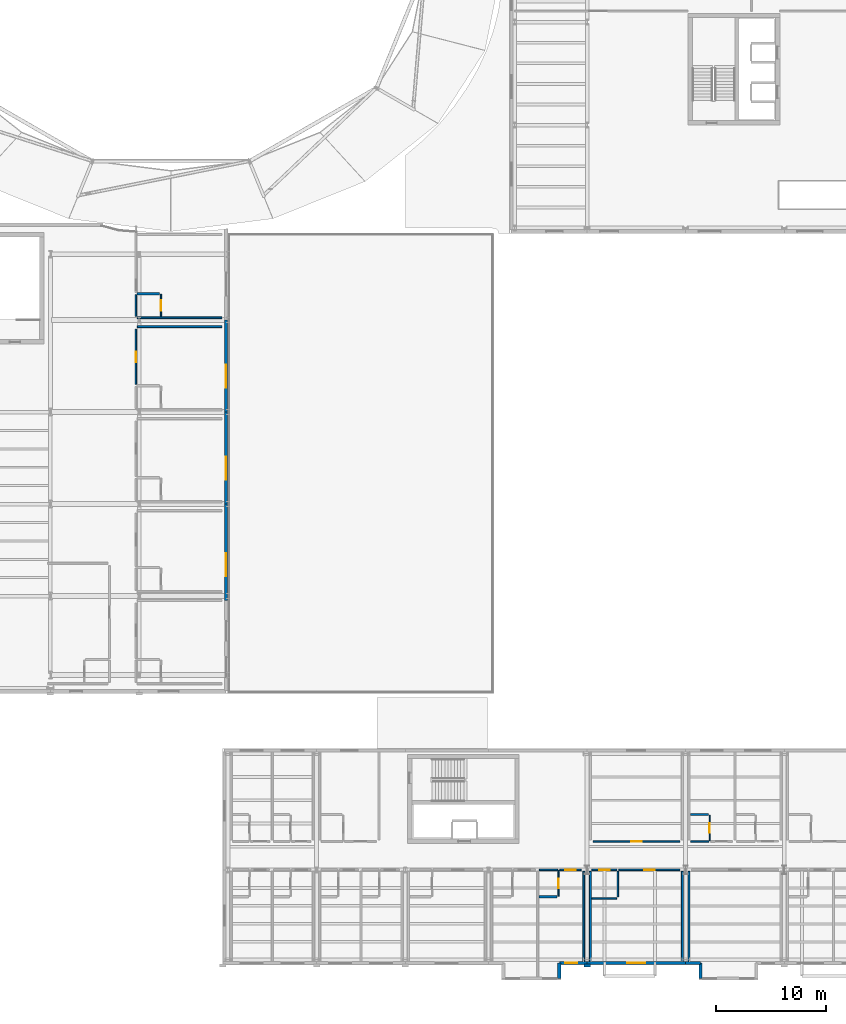
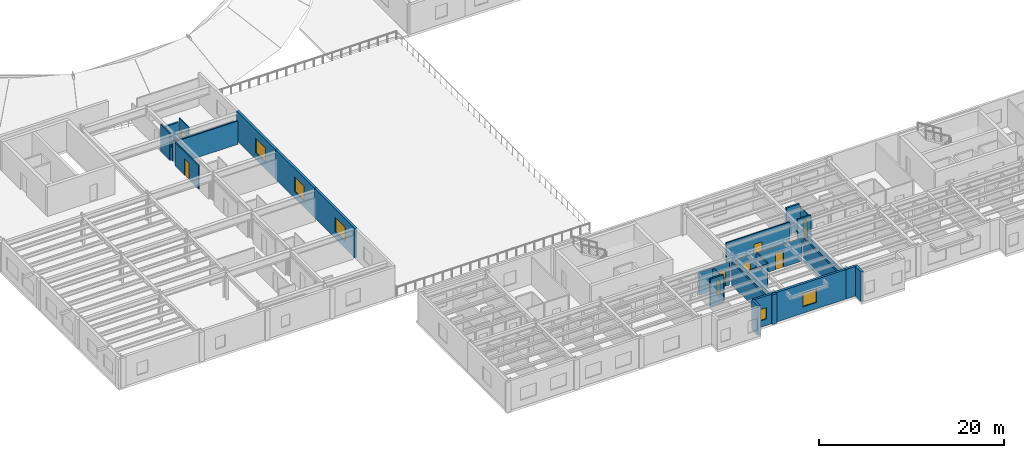
# One storey, part 38 of 59: 31 walls, 8 doors, 5 windows, 13 openings.
"""IFC4 building model written with IfcOpenShell, lengths in metres."""

import ifcopenshell
import ifcopenshell.guid

model = None  # the IFC model being written
_history = None  # IfcOwnerHistory: only IFC2X3 demands one
_inside = {}  # id of a spatial element -> (the spatial element, [elements in it])
_under = {}  # id of a project, library or spatial element -> (it, [spatial elements below it])
_declared = {}  # id of a project -> (the project, [libraries it declares])
_typed = {}  # id of a type object -> (the type object, [elements of that type])
_made_of = {}  # id of a material, layer set ... -> (it, [elements and type objects made of it])


def new_model(schema):
    """Start an empty IFC model of exactly this schema.

    Asked for "IFC4X3", IfcOpenShell would pick the latest addendum, in which some entities
    have other attributes; the version numbers below select the first issue.
    IFC2X3 requires an IfcOwnerHistory on every rooted entity: one is made here for all.
    """
    global model, _history
    if schema == "IFC4X3":
        model = ifcopenshell.file(schema_version=(4, 3, 0, 0))
    else:
        model = ifcopenshell.file(schema=schema)
    _inside.clear()
    _under.clear()
    _declared.clear()
    _typed.clear()
    _made_of.clear()
    _history = None
    if model.schema == "IFC2X3":
        org = make("IfcOrganization", Name="unknown")
        user = make(
            "IfcPersonAndOrganization",
            ThePerson=make("IfcPerson", FamilyName="unknown"),
            TheOrganization=org,
        )
        app = make(
            "IfcApplication",
            ApplicationDeveloper=org,
            Version="unknown",
            ApplicationFullName="unknown",
            ApplicationIdentifier="unknown",
        )
        _history = make(
            "IfcOwnerHistory",
            OwningUser=user,
            OwningApplication=app,
            ChangeAction="ADDED",
            CreationDate=0,
        )
    return model


def make(cls, **values):
    """One entity of the class cls with the attributes given. An attribute that is None is left unset."""
    return model.create_entity(
        cls, **{name: value for name, value in values.items() if value is not None}
    )


def rooted(cls, **values):
    """An entity with a GlobalId (a new one), such as an element, a storey or a relation."""
    return make(cls, GlobalId=ifcopenshell.guid.new(), OwnerHistory=_history, **values)


def si_unit(unit_type, name, prefix=None):
    """IfcSIUnit, for example si_unit("LENGTHUNIT", "METRE", prefix="MILLI")."""
    return make("IfcSIUnit", UnitType=unit_type, Prefix=prefix, Name=name)


def assignment(units):
    """IfcUnitAssignment: the units of a project."""
    return None if units is None else make("IfcUnitAssignment", Units=units)


def point(xyz):
    """IfcCartesianPoint."""
    return None if xyz is None else make("IfcCartesianPoint", Coordinates=xyz)


def direction(xyz):
    """IfcDirection."""
    return None if xyz is None else make("IfcDirection", DirectionRatios=xyz)


def frame(location, z_axis=None, x_axis=None):
    """IfcAxis2Placement3D, a coordinate frame: its origin and axes. An axis left out is left unset."""
    return make(
        "IfcAxis2Placement3D",
        Location=point(location),
        Axis=direction(z_axis),
        RefDirection=direction(x_axis),
    )


def frame_2d(location, x_axis=None):
    """IfcAxis2Placement2D, a coordinate frame in the plane: its origin and x axis."""
    return make(
        "IfcAxis2Placement2D", Location=point(location), RefDirection=direction(x_axis)
    )


def origin():
    """The frame at (0, 0, 0) with its axes left unset."""
    return frame((0.0, 0.0, 0.0))


def place(relative_to, where):
    """IfcLocalPlacement: puts the frame where relative to a parent placement (None: the world)."""
    return make(
        "IfcLocalPlacement", PlacementRelTo=relative_to, RelativePlacement=where
    )


def context(
    kind, dimensions, precision=None, world=None, true_north=None, identifier=None
):
    """IfcGeometricRepresentationContext, for example the 3D "Model" context."""
    return make(
        "IfcGeometricRepresentationContext",
        ContextIdentifier=identifier,
        ContextType=kind,
        CoordinateSpaceDimension=dimensions,
        Precision=precision,
        WorldCoordinateSystem=world,
        TrueNorth=true_north,
    )


def subcontext(parent, identifier, kind, view, scale=None):
    """IfcGeometricRepresentationSubContext, for example "Body" below "Model"."""
    return make(
        "IfcGeometricRepresentationSubContext",
        ContextIdentifier=identifier,
        ContextType=kind,
        ParentContext=parent,
        TargetScale=scale,
        TargetView=view,
    )


def project(units=None, contexts=None):
    """IfcProject with its units and contexts."""
    return rooted(
        "IfcProject",
        Name="project",
        RepresentationContexts=contexts,
        UnitsInContext=assignment(units),
    )


def spatial(cls, under=None, at=None, **own):
    """A site, building, storey or space (cls), placed at a placement, below another one or the project."""
    s = rooted(cls, ObjectPlacement=at, **own)
    if under is not None:
        _under.setdefault(under.id(), (under, []))[1].append(s)
    return s


def profile(cls, at=None, kind="AREA", **sizes):
    """A parametric profile (cls). Its sizes go by their IFC names, for example OverallWidth=200.0."""
    return make(cls, ProfileType=kind, Position=at, **sizes)


def rectangle(**sizes):
    """IfcRectangleProfileDef."""
    return profile("IfcRectangleProfileDef", **sizes)


def extrude(swept, where, along, depth):
    """IfcExtrudedAreaSolid: the profile swept, set in the frame where, extruded along a direction by depth."""
    return make(
        "IfcExtrudedAreaSolid",
        SweptArea=swept,
        Position=where,
        ExtrudedDirection=direction(along),
        Depth=depth,
    )


def shape(context_of_items, identifier, shape_type, items):
    """IfcShapeRepresentation: the items that make up one representation, for example the "Body"."""
    return make(
        "IfcShapeRepresentation",
        ContextOfItems=context_of_items,
        RepresentationIdentifier=identifier,
        RepresentationType=shape_type,
        Items=items,
    )


def material(Name=None, Category=None):
    """IfcMaterial."""
    return make("IfcMaterial", Name=Name, Category=Category)


def layer(
    of_material, thickness, ventilated=None, Name=None, Category=None, Priority=None
):
    """IfcMaterialLayer: one layer of a wall or slab, of a material (None: an air gap)."""
    return make(
        "IfcMaterialLayer",
        Material=of_material,
        LayerThickness=thickness,
        IsVentilated=ventilated,
        Name=Name,
        Category=Category,
        Priority=Priority,
    )


def layer_set(layers, Name=None):
    """IfcMaterialLayerSet."""
    return make("IfcMaterialLayerSet", MaterialLayers=layers, LayerSetName=Name)


def made_of(thing, what):
    """Note that an element or type object is made of a material, layer set ...; save() writes the relation."""
    if what is not None:
        _made_of.setdefault(what.id(), (what, []))[1].append(thing)
    return thing


def type_object(cls, material=None, **own):
    """A type object (cls), such as IfcWallType, which elements share."""
    return made_of(rooted(cls, **own), material)


def element(
    cls,
    number,
    at=None,
    inside=None,
    cuts=None,
    type_object=None,
    material=None,
    context=None,
    identifier="Body",
    shape_type=None,
    held_by="IfcProductDefinitionShape",
    body=None,
    shapes=None,
    **own,
):
    """One element of the class cls, such as IfcWall. Its Tag is "e" and its number.

    at: its placement. inside: the storey or other place that contains it. cuts: it is an
    opening in that element (IfcRelVoidsElement). A single representation is given by context,
    identifier, shape_type and body (its items); several are given by shapes. held_by: the class
    of the entity that holds the representations. save() writes the other relations.
    """
    e = rooted(cls, Tag="e%d" % number, ObjectPlacement=at, **own)
    if body is not None:
        shapes = [shape(context, identifier, shape_type, body)]
    if shapes is not None:
        e.Representation = make(held_by, Representations=shapes)
    if inside is not None:
        _inside.setdefault(inside.id(), (inside, []))[1].append(e)
    if cuts is not None:
        rooted(
            "IfcRelVoidsElement", RelatingBuildingElement=cuts, RelatedOpeningElement=e
        )
    if type_object is not None:
        _typed.setdefault(type_object.id(), (type_object, []))[1].append(e)
    return made_of(e, material)


def fill(opening, filler):
    """IfcRelFillsElement: the door or window that sits in an opening."""
    return rooted(
        "IfcRelFillsElement",
        RelatingOpeningElement=opening,
        RelatedBuildingElement=filler,
    )


def aggregate(whole, parts):
    """IfcRelAggregates: a whole, such as a stair, and the parts it consists of."""
    return rooted("IfcRelAggregates", RelatingObject=whole, RelatedObjects=parts)


def save(model, path):
    """Write the relations noted so far, then the file.

    IfcRelAggregates (storeys below a building ...), IfcRelContainedInSpatialStructure (elements
    in a storey), IfcRelDefinesByType, IfcRelAssociatesMaterial and IfcRelDeclares: one each for
    every whole, place, type object, material and project.
    """
    for whole, parts in _under.values():
        aggregate(whole, parts)
    for where, things in _inside.values():
        rooted(
            "IfcRelContainedInSpatialStructure",
            RelatedElements=things,
            RelatingStructure=where,
        )
    for kind, things in _typed.values():
        rooted("IfcRelDefinesByType", RelatedObjects=things, RelatingType=kind)
    for what, things in _made_of.values():
        rooted("IfcRelAssociatesMaterial", RelatedObjects=things, RelatingMaterial=what)
    for by, libraries in _declared.values():
        rooted("IfcRelDeclares", RelatingContext=by, RelatedDefinitions=libraries)
    model.write(path)


model = new_model("IFC4")

# Units and contexts
model_context = context("Model", 3, precision=1e-05, world=origin(), true_north=direction((0.0, 1.0)))
body_context = subcontext(model_context, "Body", "Model", "MODEL_VIEW")
ifc_project = project(units=[si_unit("LENGTHUNIT", "METRE"), si_unit("AREAUNIT", "SQUARE_METRE"), si_unit("VOLUMEUNIT", "CUBIC_METRE"), si_unit("PLANEANGLEUNIT", "RADIAN"), si_unit("MASSUNIT", "GRAM", prefix="KILO")], contexts=[model_context])

# Site, building, storey
site_placement = place(None, origin())
site = spatial("IfcSite", under=ifc_project, at=site_placement, CompositionType="ELEMENT")
building_placement = place(site_placement, origin())
building = spatial("IfcBuilding", under=site, at=building_placement, Name="Sollismere Congress Hotel", CompositionType="ELEMENT")
storey_placement = place(building_placement, frame((0.0, 0.0, 15.60009765625)))
storey = spatial("IfcBuildingStorey", under=building, at=storey_placement, Name="L03", CompositionType="ELEMENT", Elevation=15.60009765625)

# Wall, opening, window
ifc_material_1 = material(Name="Colorado Buff Sandstone Rainscreen on Insulated Backup", Category="masonry")
ifc_layer_1 = layer(ifc_material_1, 0.284912109375, Name="Colorado Buff Sandstone Rainscreen on Insulated Backup")
ifc_layer_set_1 = layer_set([ifc_layer_1], Name="Colorado Buff Sandstone Rainscreen on Insulated Backup")
wall_type_1 = type_object("IfcWallType", Name="WL-EXT285", PredefinedType="STANDARD", material=ifc_layer_set_1)
wall_1_placement = place(storey_placement, frame((34.030029296875, 32.800048828125, 0.0), z_axis=(0.0, 0.0, 1.0), x_axis=(0.0, 1.0, 0.0)))
wall_1 = element("IfcWall", 1, at=wall_1_placement, inside=storey, type_object=wall_type_1, Name="Exterior wall EW-L03-196", PredefinedType="STANDARD", context=body_context, shape_type="SweptSolid", body=[
    extrude(rectangle(XDim=8.800048828125, YDim=0.284912109375, at=frame_2d((4.39990234375, 0.0))), origin(), (0.0, 0.0, 1.0), 3.89990234375),
])
opening_1_placement = place(wall_1_placement, frame((2.199951171875, 0.0, 0.8798828125)))
opening_1 = element("IfcOpeningElement", 2, at=opening_1_placement, cuts=wall_1, Name="Opening W-L03-162", PredefinedType="OPENING", context=body_context, shape_type="SweptSolid", body=[
    extrude(rectangle(XDim=2.10009765625, YDim=1.89990234375, at=frame_2d((1.050048828125, 0.949951171875))), frame((0.0, 0.15234375, 0.0), z_axis=(0.0, -1.0, 0.0), x_axis=(1.0, 0.0, 0.0)), (0.0, 0.0, 1.0), 0.304931640625),
])
ifc_material_2 = material(Name="Thermally Broken Bronze Aluminum & Low-E Glass", Category="aluminium")
window_type_1 = type_object("IfcWindowType", Name="WN-P210x190", PartitioningType="SINGLE_PANEL", PredefinedType="WINDOW", material=ifc_material_2)
window_1_placement = place(opening_1_placement, origin())
window_1 = element("IfcWindow", 3, at=window_1_placement, inside=storey, type_object=window_type_1, Name="WIN-W-L03-162", OverallHeight=1.89990234375, OverallWidth=2.10009765625, PartitioningType="SINGLE_PANEL", PredefinedType="WINDOW", context=body_context, shape_type="SweptSolid", body=[
    extrude(rectangle(XDim=2.10009765625, YDim=1.89990234375, at=frame_2d((1.050048828125, 0.949951171875))), frame((0.0, 0.030029296875, 0.0), z_axis=(0.0, -1.0, 0.0), x_axis=(1.0, 0.0, 0.0)), (0.0, 0.0, 1.0), 0.06005859375),
])
fill(opening_1, window_1)

wall_2_placement = place(storey_placement, frame((34.030029296875, 41.60009765625, 0.0), z_axis=(0.0, 0.0, 1.0), x_axis=(0.0, 1.0, 0.0)))
wall_2 = element("IfcWall", 4, at=wall_2_placement, inside=storey, type_object=wall_type_1, Name="Exterior wall EW-L03-197", PredefinedType="STANDARD", context=body_context, shape_type="SweptSolid", body=[
    extrude(rectangle(XDim=8.39990234375, YDim=0.284912109375, at=frame_2d((4.199951171875, 0.0))), origin(), (0.0, 0.0, 1.0), 3.89990234375),
])
opening_2_placement = place(wall_2_placement, frame((2.199951171875, 0.0, 0.8798828125)))
opening_2 = element("IfcOpeningElement", 5, at=opening_2_placement, cuts=wall_2, Name="Opening W-L03-163", PredefinedType="OPENING", context=body_context, shape_type="SweptSolid", body=[
    extrude(rectangle(XDim=2.10009765625, YDim=1.89990234375, at=frame_2d((1.050048828125, 0.949951171875))), frame((0.0, 0.15234375, 0.0), z_axis=(0.0, -1.0, 0.0), x_axis=(1.0, 0.0, 0.0)), (0.0, 0.0, 1.0), 0.304931640625),
])
window_2_placement = place(opening_2_placement, origin())
window_2 = element("IfcWindow", 6, at=window_2_placement, inside=storey, type_object=window_type_1, Name="WIN-W-L03-163", OverallHeight=1.89990234375, OverallWidth=2.10009765625, PartitioningType="SINGLE_PANEL", PredefinedType="WINDOW", context=body_context, shape_type="SweptSolid", body=[
    extrude(rectangle(XDim=2.10009765625, YDim=1.89990234375, at=frame_2d((1.050048828125, 0.949951171875))), frame((0.0, 0.030029296875, 0.0), z_axis=(0.0, -1.0, 0.0), x_axis=(1.0, 0.0, 0.0)), (0.0, 0.0, 1.0), 0.06005859375),
])
fill(opening_2, window_2)

wall_3_placement = place(storey_placement, frame((34.030029296875, 50.0, 0.0), z_axis=(0.0, 0.0, 1.0), x_axis=(0.0, 1.0, 0.0)))
wall_3 = element("IfcWall", 7, at=wall_3_placement, inside=storey, type_object=wall_type_1, Name="Exterior wall EW-L03-198", PredefinedType="STANDARD", context=body_context, shape_type="SweptSolid", body=[
    extrude(rectangle(XDim=8.39990234375, YDim=0.284912109375, at=frame_2d((4.199951171875, 0.0))), origin(), (0.0, 0.0, 1.0), 3.89990234375),
])
opening_3_placement = place(wall_3_placement, frame((2.199951171875, 0.0, 0.8798828125)))
opening_3 = element("IfcOpeningElement", 8, at=opening_3_placement, cuts=wall_3, Name="Opening W-L03-164", PredefinedType="OPENING", context=body_context, shape_type="SweptSolid", body=[
    extrude(rectangle(XDim=2.10009765625, YDim=1.89990234375, at=frame_2d((1.050048828125, 0.949951171875))), frame((0.0, 0.15234375, 0.0), z_axis=(0.0, -1.0, 0.0), x_axis=(1.0, 0.0, 0.0)), (0.0, 0.0, 1.0), 0.304931640625),
])
window_3_placement = place(opening_3_placement, origin())
window_3 = element("IfcWindow", 9, at=window_3_placement, inside=storey, type_object=window_type_1, Name="WIN-W-L03-164", OverallHeight=1.89990234375, OverallWidth=2.10009765625, PartitioningType="SINGLE_PANEL", PredefinedType="WINDOW", context=body_context, shape_type="SweptSolid", body=[
    extrude(rectangle(XDim=2.10009765625, YDim=1.89990234375, at=frame_2d((1.050048828125, 0.949951171875))), frame((0.0, 0.030029296875, 0.0), z_axis=(0.0, -1.0, 0.0), x_axis=(1.0, 0.0, 0.0)), (0.0, 0.0, 1.0), 0.06005859375),
])
fill(opening_3, window_3)

wall_4_placement = place(storey_placement, frame((64.4599609375, -0.31005859375, 0.0), z_axis=(0.0, 0.0, 1.0), x_axis=(1.0, 0.0, 0.0)))
wall_4 = element("IfcWall", 10, at=wall_4_placement, inside=storey, type_object=wall_type_1, Name="Exterior wall EW-L03-397", PredefinedType="STANDARD", context=body_context, shape_type="SweptSolid", body=[
    extrude(rectangle(XDim=2.5400390625, YDim=0.284912109375, at=frame_2d((1.27001953125, 0.0))), origin(), (0.0, 0.0, 1.0), 3.89990234375),
])
opening_4_placement = place(wall_4_placement, frame((0.544921875, 0.0, 0.85009765625)))
opening_4 = element("IfcOpeningElement", 11, at=opening_4_placement, cuts=wall_4, Name="Opening W-L03-314", PredefinedType="OPENING", context=body_context, shape_type="SweptSolid", body=[
    extrude(rectangle(XDim=1.10009765625, YDim=1.5, at=frame_2d((0.550048828125, 0.75))), frame((0.0, 0.15234375, 0.0), z_axis=(0.0, -1.0, 0.0), x_axis=(1.0, 0.0, 0.0)), (0.0, 0.0, 1.0), 0.304931640625),
])
window_type_2 = type_object("IfcWindowType", Name="WN-P110x150", PartitioningType="SINGLE_PANEL", PredefinedType="WINDOW", material=ifc_material_2)
window_4_placement = place(opening_4_placement, origin())
window_4 = element("IfcWindow", 12, at=window_4_placement, inside=storey, type_object=window_type_2, Name="WIN-W-L03-314", OverallHeight=1.5, OverallWidth=1.10009765625, PartitioningType="SINGLE_PANEL", PredefinedType="WINDOW", context=body_context, shape_type="SweptSolid", body=[
    extrude(rectangle(XDim=1.10009765625, YDim=1.5, at=frame_2d((0.550048828125, 0.75))), frame((0.0, 0.030029296875, 0.0), z_axis=(0.0, -1.0, 0.0), x_axis=(1.0, 0.0, 0.0)), (0.0, 0.0, 1.0), 0.06005859375),
])
fill(opening_4, window_4)

# Wall
wall_5_placement = place(storey_placement, frame((64.4599609375, -1.699951171875, 0.0), z_axis=(0.0, 0.0, 1.0), x_axis=(0.0, 1.0, 0.0)))
element("IfcWall", 13, at=wall_5_placement, inside=storey, type_object=wall_type_1, Name="Exterior wall EW-L03-400", PredefinedType="STANDARD", context=body_context, shape_type="SweptSolid", body=[
    extrude(rectangle(XDim=1.389892578125, YDim=0.284912109375, at=frame_2d((0.69482421875, 0.0))), origin(), (0.0, 0.0, 1.0), 3.89990234375),
])

# Wall, opening, window
wall_6_placement = place(storey_placement, frame((67.0, -0.31005859375, 0.0), z_axis=(0.0, 0.0, 1.0), x_axis=(1.0, 0.0, 0.0)))
wall_6 = element("IfcWall", 14, at=wall_6_placement, inside=storey, type_object=wall_type_1, Name="Exterior wall EW-L03-401", PredefinedType="STANDARD", context=body_context, shape_type="SweptSolid", body=[
    extrude(rectangle(XDim=9.0, YDim=0.284912109375, at=frame_2d((4.5, 0.0))), origin(), (0.0, 0.0, 1.0), 3.89990234375),
])
opening_5_placement = place(wall_6_placement, frame((3.675048828125, 0.0, 0.85009765625)))
opening_5 = element("IfcOpeningElement", 15, at=opening_5_placement, cuts=wall_6, Name="Opening W-L03-317", PredefinedType="OPENING", context=body_context, shape_type="SweptSolid", body=[
    extrude(rectangle(XDim=1.64990234375, YDim=1.75, at=frame_2d((0.824951171875, 0.875))), frame((0.0, 0.15234375, 0.0), z_axis=(0.0, -1.0, 0.0), x_axis=(1.0, 0.0, 0.0)), (0.0, 0.0, 1.0), 0.304931640625),
])
window_type_3 = type_object("IfcWindowType", Name="WN-P165x175", PartitioningType="SINGLE_PANEL", PredefinedType="WINDOW", material=ifc_material_2)
window_5_placement = place(opening_5_placement, origin())
window_5 = element("IfcWindow", 16, at=window_5_placement, inside=storey, type_object=window_type_3, Name="WIN-W-L03-317", OverallHeight=1.75, OverallWidth=1.64990234375, PartitioningType="SINGLE_PANEL", PredefinedType="WINDOW", context=body_context, shape_type="SweptSolid", body=[
    extrude(rectangle(XDim=1.64990234375, YDim=1.75, at=frame_2d((0.824951171875, 0.875))), frame((0.0, 0.030029296875, 0.0), z_axis=(0.0, -1.0, 0.0), x_axis=(1.0, 0.0, 0.0)), (0.0, 0.0, 1.0), 0.06005859375),
])
fill(opening_5, window_5)

# Walls
wall_7_placement = place(storey_placement, frame((76.0, -0.31005859375, 0.0), z_axis=(0.0, 0.0, 1.0), x_axis=(1.0, 0.0, 0.0)))
element("IfcWall", 17, at=wall_7_placement, inside=storey, type_object=wall_type_1, Name="Exterior wall EW-L03-403", PredefinedType="STANDARD", context=body_context, shape_type="SweptSolid", body=[
    extrude(rectangle(XDim=1.340087890625, YDim=0.284912109375, at=frame_2d((0.669921875, 0.0))), origin(), (0.0, 0.0, 1.0), 3.89990234375),
])
wall_8_placement = place(storey_placement, frame((77.340087890625, -0.31005859375, 0.0), z_axis=(0.0, 0.0, 1.0), x_axis=(0.0, -1.0, 0.0)))
element("IfcWall", 18, at=wall_8_placement, inside=storey, type_object=wall_type_1, Name="Exterior wall EW-L03-406", PredefinedType="STANDARD", context=body_context, shape_type="SweptSolid", body=[
    extrude(rectangle(XDim=1.389892578125, YDim=0.284912109375, at=frame_2d((0.69482421875, 0.0))), origin(), (0.0, 0.0, 1.0), 3.89990234375),
])
ifc_material_3 = material(Name="Carved Travertine Pilaster & Frieze Assembly", Category="masonry")
ifc_layer_2 = layer(ifc_material_3, 0.260009765625, Name="Carved Travertine Pilaster & Frieze Assembly")
ifc_layer_set_2 = layer_set([ifc_layer_2], Name="Carved Travertine Pilaster & Frieze Assembly")
wall_type_2 = type_object("IfcWallType", Name="WL-PIL280", PredefinedType="ELEMENTEDWALL", material=ifc_layer_set_2)
wall_9_placement = place(storey_placement, frame((66.699951171875, -0.52001953125, 0.0), z_axis=(0.0, 0.0, 1.0), x_axis=(1.0, 0.0, 0.0)))
element("IfcWall", 19, at=wall_9_placement, inside=storey, type_object=wall_type_2, Name="Exterior wall EW-L03-402", PredefinedType="ELEMENTEDWALL", context=body_context, shape_type="SweptSolid", body=[
    extrude(rectangle(XDim=0.60009765625, YDim=0.260009765625, at=frame_2d((0.300048828125, 0.0))), origin(), (0.0, 0.0, 1.0), 3.89990234375),
])
ifc_material_4 = material(Name="Moisture-Resistant Shaft Gypsum Assembly")
ifc_layer_3 = layer(ifc_material_4, 0.199951171875, Name="Moisture-Resistant Shaft Gypsum Assembly")
ifc_layer_set_3 = layer_set([ifc_layer_3], Name="Moisture-Resistant Shaft Gypsum Assembly")
wall_type_3 = type_object("IfcWallType", Name="WL-PLM200", PredefinedType="PLUMBINGWALL", material=ifc_layer_set_3)
wall_10_placement = place(storey_placement, frame((62.6201171875, 5.75, 0.0), z_axis=(0.0, 0.0, 1.0), x_axis=(1.0, 0.0, 0.0)))
element("IfcWall", 20, at=wall_10_placement, inside=storey, type_object=wall_type_3, Name="Interior wall IW-L03-1264", PredefinedType="PLUMBINGWALL", context=body_context, shape_type="SweptSolid", body=[
    extrude(rectangle(XDim=1.64990234375, YDim=0.199951171875, at=frame_2d((0.824951171875, 0.0))), origin(), (0.0, 0.0, 1.0), 3.599853515625),
])
wall_11_placement = place(storey_placement, frame((76.419921875, 13.25, 0.0), z_axis=(0.0, 0.0, 1.0), x_axis=(1.0, 0.0, 0.0)))
element("IfcWall", 21, at=wall_11_placement, inside=storey, type_object=wall_type_3, Name="Interior wall IW-L03-1270", PredefinedType="PLUMBINGWALL", context=body_context, shape_type="SweptSolid", body=[
    extrude(rectangle(XDim=1.650146484375, YDim=0.199951171875, at=frame_2d((0.8251953125, 0.0))), origin(), (0.0, 0.0, 1.0), 3.599853515625),
])
wall_12_placement = place(storey_placement, frame((25.919921875, 60.800048828125, 0.0), z_axis=(0.0, 0.0, 1.0), x_axis=(1.0, 0.0, 0.0)))
element("IfcWall", 22, at=wall_12_placement, inside=storey, type_object=wall_type_3, Name="Interior wall IW-L03-1463", PredefinedType="PLUMBINGWALL", context=body_context, shape_type="SweptSolid", body=[
    extrude(rectangle(XDim=2.06005859375, YDim=0.199951171875, at=frame_2d((1.030029296875, 0.0))), origin(), (0.0, 0.0, 1.0), 3.073974609375),
])

# Wall, opening, door
ifc_material_5 = material(Name="Moisture-Resistant Gypsum Partition")
ifc_layer_4 = layer(ifc_material_5, 0.10009765625, Name="Moisture-Resistant Gypsum Partition")
ifc_layer_set_4 = layer_set([ifc_layer_4], Name="Moisture-Resistant Gypsum Partition")
wall_type_4 = type_object("IfcWallType", Name="WL-PRT100", PredefinedType="PARTITIONING", material=ifc_layer_set_4)
wall_13_placement = place(storey_placement, frame((64.389892578125, 5.7900390625, 0.0), z_axis=(0.0, 0.0, 1.0), x_axis=(0.0, 1.0, 0.0)))
wall_13 = element("IfcWall", 23, at=wall_13_placement, inside=storey, type_object=wall_type_4, Name="Interior wall IW-L03-1263", PredefinedType="PARTITIONING", context=body_context, shape_type="SweptSolid", body=[
    extrude(rectangle(XDim=2.369873046875, YDim=0.10009765625, at=frame_2d((1.18505859375, 0.0))), origin(), (0.0, 0.0, 1.0), 3.012939453125),
])
opening_6_placement = place(wall_13_placement, frame((0.7451171875, 0.0, 0.0)))
opening_6 = element("IfcOpeningElement", 24, at=opening_6_placement, cuts=wall_13, Name="Opening D-L03-0446", PredefinedType="OPENING", context=body_context, shape_type="SweptSolid", body=[
    extrude(rectangle(XDim=0.8798828125, YDim=2.179931640625, at=frame_2d((0.43994140625, 1.08984375))), frame((0.0, 0.06005859375, 0.0), z_axis=(0.0, -1.0, 0.0), x_axis=(1.0, 0.0, 0.0)), (0.0, 0.0, 1.0), 0.1201171875),
])
ifc_material_6 = material(Name="Moisture-Sealed Timber Bathroom Door", Category="wood")
door_type_1 = type_object("IfcDoorType", Name="DR-BT05", OperationType="NOTDEFINED", PredefinedType="DOOR", material=ifc_material_6)
door_1_placement = place(opening_6_placement, origin())
door_1 = element("IfcDoor", 25, at=door_1_placement, inside=storey, type_object=door_type_1, Name="En-suite bathroom door D-L03-0446", OperationType="SINGLE_SWING_LEFT", OverallHeight=2.179931640625, OverallWidth=0.8798828125, PredefinedType="DOOR", context=body_context, shape_type="SweptSolid", body=[
    extrude(rectangle(XDim=0.8798828125, YDim=2.179931640625, at=frame_2d((0.43994140625, 1.08984375))), frame((0.0, 0.02490234375, 0.0), z_axis=(0.0, -1.0, 0.0), x_axis=(1.0, 0.0, 0.0)), (0.0, 0.0, 1.0), 0.050048828125),
])
fill(opening_6, door_1)

wall_14_placement = place(storey_placement, frame((78.18994140625, 10.840087890625, 0.0), z_axis=(0.0, 0.0, 1.0), x_axis=(0.0, 1.0, 0.0)))
wall_14 = element("IfcWall", 26, at=wall_14_placement, inside=storey, type_object=wall_type_4, Name="Interior wall IW-L03-1269", PredefinedType="PARTITIONING", context=body_context, shape_type="SweptSolid", body=[
    extrude(rectangle(XDim=2.369873046875, YDim=0.10009765625, at=frame_2d((1.18505859375, 0.0))), origin(), (0.0, 0.0, 1.0), 3.2080078125),
])
opening_7_placement = place(wall_14_placement, frame((0.73291015625, 0.0, 0.0)))
opening_7 = element("IfcOpeningElement", 27, at=opening_7_placement, cuts=wall_14, Name="Opening D-L03-0448", PredefinedType="OPENING", context=body_context, shape_type="SweptSolid", body=[
    extrude(rectangle(XDim=0.905029296875, YDim=2.179931640625, at=frame_2d((0.45263671875, 1.08984375))), frame((0.0, 0.06005859375, 0.0), z_axis=(0.0, -1.0, 0.0), x_axis=(1.0, 0.0, 0.0)), (0.0, 0.0, 1.0), 0.1201171875),
])
door_type_2 = type_object("IfcDoorType", Name="DR-BT06", OperationType="NOTDEFINED", PredefinedType="DOOR", material=ifc_material_6)
door_2_placement = place(opening_7_placement, origin())
door_2 = element("IfcDoor", 28, at=door_2_placement, inside=storey, type_object=door_type_2, Name="En-suite bathroom door D-L03-0448", OperationType="SINGLE_SWING_LEFT", OverallHeight=2.179931640625, OverallWidth=0.905029296875, PredefinedType="DOOR", context=body_context, shape_type="SweptSolid", body=[
    extrude(rectangle(XDim=0.905029296875, YDim=2.179931640625, at=frame_2d((0.45263671875, 1.08984375))), frame((0.0, 0.02490234375, 0.0), z_axis=(0.0, -1.0, 0.0), x_axis=(1.0, 0.0, 0.0)), (0.0, 0.0, 1.0), 0.050048828125),
])
fill(opening_7, door_2)

wall_15_placement = place(storey_placement, frame((28.10009765625, 58.694580078125, 0.0), z_axis=(0.0, 0.0, 1.0), x_axis=(0.0, 1.0, 0.0)))
wall_15 = element("IfcWall", 29, at=wall_15_placement, inside=storey, type_object=wall_type_4, Name="Interior wall IW-L03-1464", PredefinedType="PARTITIONING", context=body_context, shape_type="SweptSolid", body=[
    extrude(rectangle(XDim=2.0654296875, YDim=0.10009765625, at=frame_2d((1.03271484375, 0.0))), origin(), (0.0, 0.0, 1.0), 3.599853515625),
])
opening_8_placement = place(wall_15_placement, frame((0.554931640625, 0.0, 0.0)))
opening_8 = element("IfcOpeningElement", 30, at=opening_8_placement, cuts=wall_15, Name="Opening D-L03-0516", PredefinedType="OPENING", context=body_context, shape_type="SweptSolid", body=[
    extrude(rectangle(XDim=0.955078125, YDim=2.219970703125, at=frame_2d((0.4775390625, 1.10986328125))), frame((0.0, 0.06005859375, 0.0), z_axis=(0.0, -1.0, 0.0), x_axis=(1.0, 0.0, 0.0)), (0.0, 0.0, 1.0), 0.1201171875),
])
door_type_3 = type_object("IfcDoorType", Name="DR-BT08", OperationType="NOTDEFINED", PredefinedType="DOOR", material=ifc_material_6)
door_3_placement = place(opening_8_placement, origin())
door_3 = element("IfcDoor", 31, at=door_3_placement, inside=storey, type_object=door_type_3, Name="En-suite bathroom door D-L03-0516", OperationType="SINGLE_SWING_LEFT", OverallHeight=2.219970703125, OverallWidth=0.955078125, PredefinedType="DOOR", context=body_context, shape_type="SweptSolid", body=[
    extrude(rectangle(XDim=0.955078125, YDim=2.219970703125, at=frame_2d((0.4775390625, 1.10986328125))), frame((0.0, 0.02490234375, 0.0), z_axis=(0.0, -1.0, 0.0), x_axis=(1.0, 0.0, 0.0)), (0.0, 0.0, 1.0), 0.050048828125),
])
fill(opening_8, door_3)

# Wall
ifc_material_7 = material(Name="Fire-Rated Gypsum Partition")
ifc_layer_5 = layer(ifc_material_7, 0.139892578125, Name="Fire-Rated Gypsum Partition")
ifc_layer_set_5 = layer_set([ifc_layer_5], Name="Fire-Rated Gypsum Partition")
wall_type_5 = type_object("IfcWallType", Name="WL-PRT140R", PredefinedType="PARTITIONING", material=ifc_layer_set_5)
wall_16_placement = place(storey_placement, frame((62.639892578125, 8.199951171875, 0.0), z_axis=(0.0, 0.0, 1.0), x_axis=(1.0, 0.0, 0.0)))
element("IfcWall", 32, at=wall_16_placement, inside=storey, type_object=wall_type_5, Name="Interior wall IW-L03-1260", PredefinedType="PARTITIONING", context=body_context, shape_type="SweptSolid", body=[
    extrude(rectangle(XDim=1.670166015625, YDim=0.139892578125, at=frame_2d((0.8349609375, 0.0))), origin(), (0.0, 0.0, 1.0), 3.012939453125),
])

# Wall, opening, door
wall_17_placement = place(storey_placement, frame((64.510009765625, 8.199951171875, 0.0), z_axis=(0.0, 0.0, 1.0), x_axis=(1.0, 0.0, 0.0)))
wall_17 = element("IfcWall", 33, at=wall_17_placement, inside=storey, type_object=wall_type_5, Name="Interior wall IW-L03-1261", PredefinedType="PARTITIONING", context=body_context, shape_type="SweptSolid", body=[
    extrude(rectangle(XDim=1.949951171875, YDim=0.139892578125, at=frame_2d((0.97509765625, 0.0))), origin(), (0.0, 0.0, 1.0), 3.012939453125),
])
opening_9_placement = place(wall_17_placement, frame((0.514892578125, 0.0, 0.0)))
opening_9 = element("IfcOpeningElement", 34, at=opening_9_placement, cuts=wall_17, Name="Opening D-L03-0445", PredefinedType="OPENING", context=body_context, shape_type="SweptSolid", body=[
    extrude(rectangle(XDim=0.919921875, YDim=2.14990234375, at=frame_2d((0.4599609375, 1.074951171875))), frame((0.0, 0.079833984375, 0.0), z_axis=(0.0, -1.0, 0.0), x_axis=(1.0, 0.0, 0.0)), (0.0, 0.0, 1.0), 0.159912109375),
])
ifc_material_8 = material(Name="Solid-Core Acoustic Walnut Guestroom Entry Door")
door_type_4 = type_object("IfcDoorType", Name="DR-KY01", OperationType="NOTDEFINED", PredefinedType="DOOR", material=ifc_material_8)
door_4_placement = place(opening_9_placement, origin())
door_4 = element("IfcDoor", 35, at=door_4_placement, inside=storey, type_object=door_type_4, Name="Hotel room entry door D-L03-0445", OperationType="SINGLE_SWING_RIGHT", OverallHeight=2.14990234375, OverallWidth=0.919921875, PredefinedType="DOOR", context=body_context, shape_type="SweptSolid", body=[
    extrude(rectangle(XDim=0.919921875, YDim=2.14990234375, at=frame_2d((0.4599609375, 1.074951171875))), frame((0.0, 0.02490234375, 0.0), z_axis=(0.0, -1.0, 0.0), x_axis=(1.0, 0.0, 0.0)), (0.0, 0.0, 1.0), 0.050048828125),
])
fill(opening_9, door_4)

# Wall
wall_18_placement = place(storey_placement, frame((76.43994140625, 10.800048828125, 0.0), z_axis=(0.0, 0.0, 1.0), x_axis=(1.0, 0.0, 0.0)))
element("IfcWall", 36, at=wall_18_placement, inside=storey, type_object=wall_type_5, Name="Interior wall IW-L03-1265", PredefinedType="PARTITIONING", context=body_context, shape_type="SweptSolid", body=[
    extrude(rectangle(XDim=1.670166015625, YDim=0.139892578125, at=frame_2d((0.8349609375, 0.0))), origin(), (0.0, 0.0, 1.0), 3.599853515625),
])

# Wall, opening, door
wall_19_placement = place(storey_placement, frame((25.800048828125, 52.52001953125, 0.0), z_axis=(0.0, 0.0, 1.0), x_axis=(0.0, 1.0, 0.0)))
wall_19 = element("IfcWall", 37, at=wall_19_placement, inside=storey, type_object=wall_type_5, Name="Interior wall IW-L03-1454", PredefinedType="PARTITIONING", context=body_context, shape_type="SweptSolid", body=[
    extrude(rectangle(XDim=5.0400390625, YDim=0.139892578125, at=frame_2d((2.52001953125, 0.0))), origin(), (0.0, 0.0, 1.0), 3.073974609375),
])
opening_10_placement = place(wall_19_placement, frame((2.044921875, 0.0, 0.0)))
opening_10 = element("IfcOpeningElement", 38, at=opening_10_placement, cuts=wall_19, Name="Opening D-L03-0513", PredefinedType="OPENING", context=body_context, shape_type="SweptSolid", body=[
    extrude(rectangle(XDim=0.949951171875, YDim=2.14990234375, at=frame_2d((0.47509765625, 1.074951171875))), frame((0.0, 0.079833984375, 0.0), z_axis=(0.0, -1.0, 0.0), x_axis=(1.0, 0.0, 0.0)), (0.0, 0.0, 1.0), 0.159912109375),
])
door_type_5 = type_object("IfcDoorType", Name="DR-KY02", OperationType="NOTDEFINED", PredefinedType="DOOR", material=ifc_material_8)
door_5_placement = place(opening_10_placement, origin())
door_5 = element("IfcDoor", 39, at=door_5_placement, inside=storey, type_object=door_type_5, Name="Hotel room entry door D-L03-0513", OperationType="SINGLE_SWING_RIGHT", OverallHeight=2.14990234375, OverallWidth=0.949951171875, PredefinedType="DOOR", context=body_context, shape_type="SweptSolid", body=[
    extrude(rectangle(XDim=0.949951171875, YDim=2.14990234375, at=frame_2d((0.47509765625, 1.074951171875))), frame((0.0, 0.02490234375, 0.0), z_axis=(0.0, -1.0, 0.0), x_axis=(1.0, 0.0, 0.0)), (0.0, 0.0, 1.0), 0.050048828125),
])
fill(opening_10, door_5)

# Wall
wall_20_placement = place(storey_placement, frame((25.800048828125, 58.739990234375, 0.0), z_axis=(0.0, 0.0, 1.0), x_axis=(0.0, 1.0, 0.0)))
element("IfcWall", 40, at=wall_20_placement, inside=storey, type_object=wall_type_5, Name="Interior wall IW-L03-1459", PredefinedType="PARTITIONING", context=body_context, shape_type="SweptSolid", body=[
    extrude(rectangle(XDim=1.97998046875, YDim=0.139892578125, at=frame_2d((0.989990234375, 0.0))), origin(), (0.0, 0.0, 1.0), 3.599853515625),
])

# Wall, opening, door
wall_21_placement = place(storey_placement, frame((67.43994140625, 8.199951171875, 0.0), z_axis=(0.0, 0.0, 1.0), x_axis=(1.0, 0.0, 0.0)))
wall_21 = element("IfcWall", 41, at=wall_21_placement, inside=storey, type_object=wall_type_5, Name="Interior wall IW-L03-1471", PredefinedType="PARTITIONING", context=body_context, shape_type="SweptSolid", body=[
    extrude(rectangle(XDim=2.280029296875, YDim=0.139892578125, at=frame_2d((1.14013671875, 0.0))), origin(), (0.0, 0.0, 1.0), 3.012939453125),
])
opening_11_placement = place(wall_21_placement, frame((0.659912109375, 0.0, 0.0)))
opening_11 = element("IfcOpeningElement", 42, at=opening_11_placement, cuts=wall_21, Name="Opening D-L03-0519", PredefinedType="OPENING", context=body_context, shape_type="SweptSolid", body=[
    extrude(rectangle(XDim=0.9599609375, YDim=2.14990234375, at=frame_2d((0.47998046875, 1.074951171875))), frame((0.0, 0.079833984375, 0.0), z_axis=(0.0, -1.0, 0.0), x_axis=(1.0, 0.0, 0.0)), (0.0, 0.0, 1.0), 0.159912109375),
])
ifc_material_9 = material(Name="Fire-Rated Accessible Restroom Door")
door_type_6 = type_object("IfcDoorType", Name="DR-AWC01", OperationType="NOTDEFINED", PredefinedType="DOOR", material=ifc_material_9)
door_6_placement = place(opening_11_placement, origin())
door_6 = element("IfcDoor", 43, at=door_6_placement, inside=storey, type_object=door_type_6, Name="Accessible restroom door D-L03-0519", OperationType="SINGLE_SWING_RIGHT", OverallHeight=2.14990234375, OverallWidth=0.9599609375, PredefinedType="DOOR", context=body_context, shape_type="SweptSolid", body=[
    extrude(rectangle(XDim=0.9599609375, YDim=2.14990234375, at=frame_2d((0.47998046875, 1.074951171875))), frame((0.0, 0.02490234375, 0.0), z_axis=(0.0, -1.0, 0.0), x_axis=(1.0, 0.0, 0.0)), (0.0, 0.0, 1.0), 0.050048828125),
])
fill(opening_11, door_6)

# Walls
wall_22_placement = place(storey_placement, frame((69.800048828125, 5.739990234375, 0.0), z_axis=(0.0, 0.0, 1.0), x_axis=(0.0, 1.0, 0.0)))
element("IfcWall", 44, at=wall_22_placement, inside=storey, type_object=wall_type_5, Name="Interior wall IW-L03-1472", PredefinedType="PARTITIONING", context=body_context, shape_type="SweptSolid", body=[
    extrude(rectangle(XDim=2.320068359375, YDim=0.139892578125, at=frame_2d((1.16015625, 0.0))), origin(), (0.0, 0.0, 1.0), 3.2080078125),
])
wall_23_placement = place(storey_placement, frame((67.43994140625, 5.60009765625, 0.0), z_axis=(0.0, 0.0, 1.0), x_axis=(1.0, 0.0, 0.0)))
element("IfcWall", 45, at=wall_23_placement, inside=storey, type_object=wall_type_5, Name="Interior wall IW-L03-1473", PredefinedType="PARTITIONING", context=body_context, shape_type="SweptSolid", body=[
    extrude(rectangle(XDim=2.260009765625, YDim=0.139892578125, at=frame_2d((1.1298828125, 0.0))), origin(), (0.0, 0.0, 1.0), 3.15283203125),
])

# Wall, opening, door
wall_24_placement = place(storey_placement, frame((69.89990234375, 8.199951171875, 0.0), z_axis=(0.0, 0.0, 1.0), x_axis=(1.0, 0.0, 0.0)))
wall_24 = element("IfcWall", 46, at=wall_24_placement, inside=storey, type_object=wall_type_5, Name="Interior wall IW-L03-1474", PredefinedType="PARTITIONING", context=body_context, shape_type="SweptSolid", body=[
    extrude(rectangle(XDim=5.56005859375, YDim=0.139892578125, at=frame_2d((2.780029296875, 0.0))), origin(), (0.0, 0.0, 1.0), 3.012939453125),
])
opening_12_placement = place(wall_24_placement, frame((2.304931640625, 0.0, 0.0)))
opening_12 = element("IfcOpeningElement", 47, at=opening_12_placement, cuts=wall_24, Name="Opening D-L03-0520", PredefinedType="OPENING", context=body_context, shape_type="SweptSolid", body=[
    extrude(rectangle(XDim=0.949951171875, YDim=2.14990234375, at=frame_2d((0.47509765625, 1.074951171875))), frame((0.0, 0.079833984375, 0.0), z_axis=(0.0, -1.0, 0.0), x_axis=(1.0, 0.0, 0.0)), (0.0, 0.0, 1.0), 0.159912109375),
])
door_7_placement = place(opening_12_placement, origin())
door_7 = element("IfcDoor", 48, at=door_7_placement, inside=storey, type_object=door_type_5, Name="Hotel room entry door D-L03-0520", OperationType="SINGLE_SWING_LEFT", OverallHeight=2.14990234375, OverallWidth=0.949951171875, PredefinedType="DOOR", context=body_context, shape_type="SweptSolid", body=[
    extrude(rectangle(XDim=0.949951171875, YDim=2.14990234375, at=frame_2d((0.47509765625, 1.074951171875))), frame((0.0, 0.02490234375, 0.0), z_axis=(0.0, -1.0, 0.0), x_axis=(1.0, 0.0, 0.0)), (0.0, 0.0, 1.0), 0.050048828125),
])
fill(opening_12, door_7)

wall_25_placement = place(storey_placement, frame((67.5400390625, 10.800048828125, 0.0), z_axis=(0.0, 0.0, 1.0), x_axis=(1.0, 0.0, 0.0)))
wall_25 = element("IfcWall", 49, at=wall_25_placement, inside=storey, type_object=wall_type_5, Name="Interior wall IW-L03-1477", PredefinedType="PARTITIONING", context=body_context, shape_type="SweptSolid", body=[
    extrude(rectangle(XDim=7.919921875, YDim=0.139892578125, at=frame_2d((3.9599609375, 0.0))), origin(), (0.0, 0.0, 1.0), 3.599853515625),
])
opening_13_placement = place(wall_25_placement, frame((3.469970703125, 0.0, 0.0)))
opening_13 = element("IfcOpeningElement", 50, at=opening_13_placement, cuts=wall_25, Name="Opening D-L03-0521", PredefinedType="OPENING", context=body_context, shape_type="SweptSolid", body=[
    extrude(rectangle(XDim=0.97998046875, YDim=2.199951171875, at=frame_2d((0.489990234375, 1.10009765625))), frame((0.0, 0.079833984375, 0.0), z_axis=(0.0, -1.0, 0.0), x_axis=(1.0, 0.0, 0.0)), (0.0, 0.0, 1.0), 0.159912109375),
])
door_type_7 = type_object("IfcDoorType", Name="DR-KY03", OperationType="NOTDEFINED", PredefinedType="DOOR", material=ifc_material_8)
door_8_placement = place(opening_13_placement, origin())
door_8 = element("IfcDoor", 51, at=door_8_placement, inside=storey, type_object=door_type_7, Name="Hotel room entry door D-L03-0521", OperationType="SINGLE_SWING_RIGHT", OverallHeight=2.199951171875, OverallWidth=0.97998046875, PredefinedType="DOOR", context=body_context, shape_type="SweptSolid", body=[
    extrude(rectangle(XDim=0.97998046875, YDim=2.199951171875, at=frame_2d((0.489990234375, 1.10009765625))), frame((0.0, 0.02490234375, 0.0), z_axis=(0.0, -1.0, 0.0), x_axis=(1.0, 0.0, 0.0)), (0.0, 0.0, 1.0), 0.050048828125),
])
fill(opening_13, door_8)

# Walls
ifc_material_10 = material(Name="Fire-Rated Acoustic Gypsum Partition")
ifc_layer_6 = layer(ifc_material_10, 0.1650390625, Name="Fire-Rated Acoustic Gypsum Partition")
ifc_layer_set_6 = layer_set([ifc_layer_6], Name="Fire-Rated Acoustic Gypsum Partition")
wall_type_6 = type_object("IfcWallType", Name="WL-PRT165R", PredefinedType="PARTITIONING", material=ifc_layer_set_6)
wall_26_placement = place(storey_placement, frame((66.699951171875, -0.152587890625, 0.0), z_axis=(0.0, 0.0, 1.0), x_axis=(0.0, 1.0, 0.0)))
element("IfcWall", 52, at=wall_26_placement, inside=storey, type_object=wall_type_6, Name="Interior wall IW-L03-1262", PredefinedType="PARTITIONING", context=body_context, shape_type="SweptSolid", body=[
    extrude(rectangle(XDim=8.212646484375, YDim=0.1650390625, at=frame_2d((4.1064453125, 0.0))), origin(), (0.0, 0.0, 1.0), 2.989990234375),
])
wall_27_placement = place(storey_placement, frame((25.93994140625, 57.800048828125, 0.0), z_axis=(0.0, 0.0, 1.0), x_axis=(1.0, 0.0, 0.0)))
element("IfcWall", 53, at=wall_27_placement, inside=storey, type_object=wall_type_6, Name="Interior wall IW-L03-1456", PredefinedType="PARTITIONING", context=body_context, shape_type="SweptSolid", body=[
    extrude(rectangle(XDim=7.719970703125, YDim=0.1650390625, at=frame_2d((3.85986328125, 0.0))), origin(), (0.0, 0.0, 1.0), 3.073974609375),
])
wall_28_placement = place(storey_placement, frame((25.93994140625, 58.60009765625, 0.0), z_axis=(0.0, 0.0, 1.0), x_axis=(1.0, 0.0, 0.0)))
element("IfcWall", 54, at=wall_28_placement, inside=storey, type_object=wall_type_6, Name="Interior wall IW-L03-1461", PredefinedType="PARTITIONING", context=body_context, shape_type="SweptSolid", body=[
    extrude(rectangle(XDim=7.719970703125, YDim=0.1650390625, at=frame_2d((3.85986328125, 0.0))), origin(), (0.0, 0.0, 1.0), 2.583984375),
])
for number, where, z_axis, x_axis, name in (
    (55, (67.300048828125, -0.152587890625, 0.0), (0.0, 0.0, 1.0), (0.0, 1.0, 0.0), "Interior wall IW-L03-1475"),
    (56, (75.699951171875, -0.152587890625, 0.0), (0.0, 0.0, 1.0), (0.0, 1.0, 0.0), "Interior wall IW-L03-1476"),
    (57, (76.300048828125, -0.152587890625, 0.0), (0.0, 0.0, 1.0), (0.0, 1.0, 0.0), "Interior wall IW-L03-1481"),
):
    element("IfcWall", number, at=place(storey_placement, frame(where, z_axis=z_axis, x_axis=x_axis)), inside=storey, type_object=wall_type_6, Name=name, PredefinedType="PARTITIONING", context=body_context, shape_type="SweptSolid", body=[
        extrude(rectangle(XDim=8.212646484375, YDim=0.1650390625, at=frame_2d((4.1064453125, 0.0))), origin(), (0.0, 0.0, 1.0), 2.989990234375),
    ])

save(model, "model.ifc")
